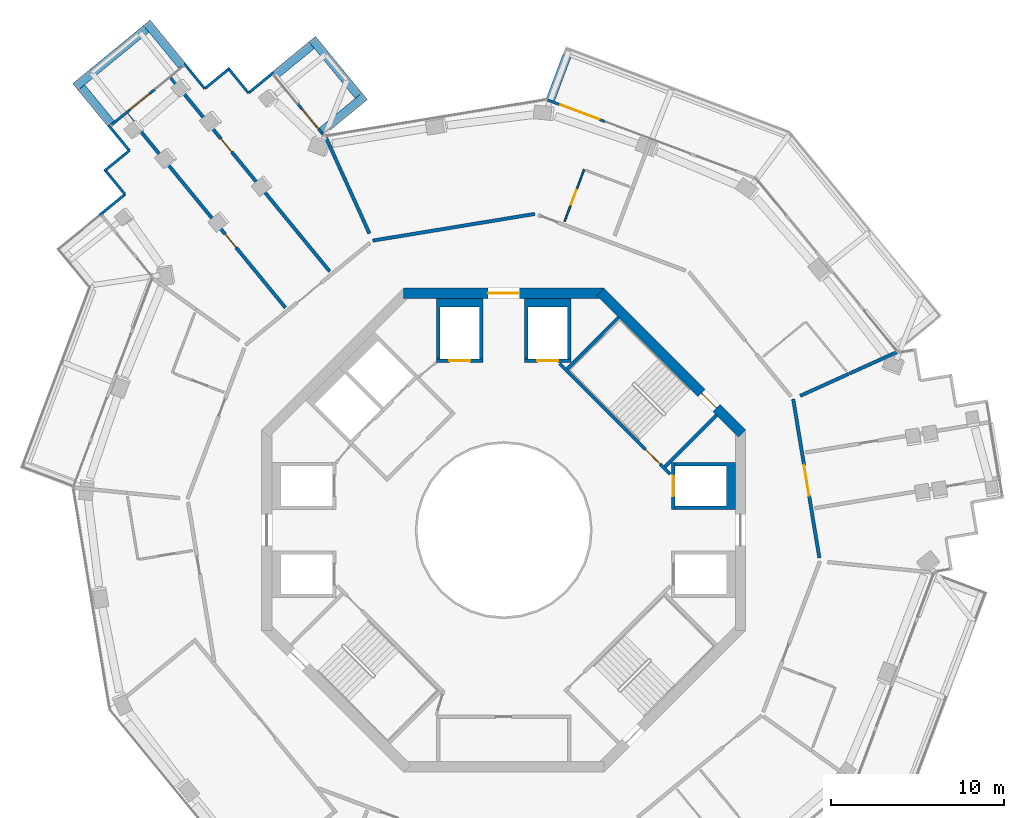
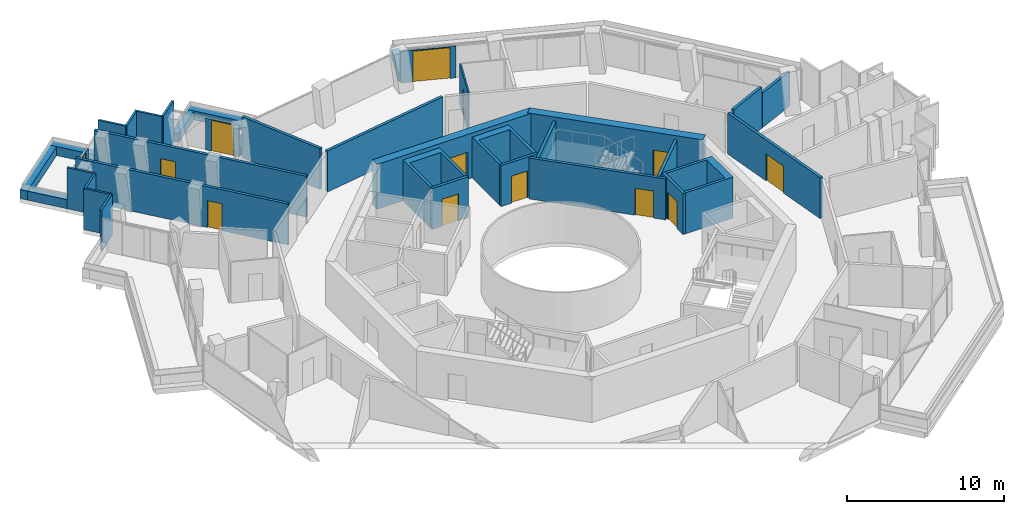
# One storey, part 17 of 21: 37 walls, 13 doors, 13 openings.
"""IFC4 building model written with IfcOpenShell, lengths in metres."""

from ifc_helpers import new_model, si_unit, direction, frame, frame_2d, origin, place, context, subcontext, project, spatial, polyline, rectangle, outline, extrude, material, layer, layer_set, type_object, element, fill, save


model = new_model("IFC4")

# Units and contexts
model_context = context("Model", 3, precision=1e-05, world=origin(), true_north=direction((0.0, 1.0)))
body_context = subcontext(model_context, "Body", "Model", "MODEL_VIEW")
ifc_project = project(units=[si_unit("LENGTHUNIT", "METRE"), si_unit("AREAUNIT", "SQUARE_METRE"), si_unit("VOLUMEUNIT", "CUBIC_METRE"), si_unit("PLANEANGLEUNIT", "RADIAN"), si_unit("MASSUNIT", "GRAM", prefix="KILO")], contexts=[model_context])

# Site, building, storey
site_placement = place(None, origin())
site = spatial("IfcSite", under=ifc_project, at=site_placement, CompositionType="ELEMENT")
building_placement = place(site_placement, origin())
building = spatial("IfcBuilding", under=site, at=building_placement, Name="Verdalira Terraces Hotel", CompositionType="ELEMENT")
storey_placement = place(building_placement, frame((0.0, 0.0, 194.0)))
storey = spatial("IfcBuildingStorey", under=building, at=storey_placement, Name="L47", CompositionType="ELEMENT", Elevation=194.0)

# Walls
ifc_material_1 = material(Name="Concrete C40", Category="concrete")
ifc_layer_1 = layer(ifc_material_1, 0.5)
ifc_layer_set_1 = layer_set([ifc_layer_1], Name="Balcony planter trough with tree")
wall_type_1 = type_object("IfcWallType", Name="Balcony planter trough with tree", PredefinedType="SOLIDWALL", material=ifc_layer_set_1)
wall_1_placement = place(storey_placement, frame((-18.622559, 26.882324, 0.0), z_axis=(0.0, 0.0, 1.0), x_axis=(-0.634197315, 0.773171239, 0.0)))
element("IfcWall", 1, at=wall_1_placement, inside=storey, type_object=wall_type_1, Name="Balcony planter", PredefinedType="SOLIDWALL", context=body_context, shape_type="SweptSolid", body=[
    extrude(rectangle(XDim=3.198975, YDim=0.5, at=frame_2d((1.599609, 0.0))), origin(), (0.0, 0.0, 1.0), 0.699951),
])
wall_2_placement = place(storey_placement, frame((-20.686279, 29.003906, 0.0), z_axis=(0.0, 0.0, 1.0), x_axis=(-0.773174724, -0.634193067, 0.0)))
element("IfcWall", 2, at=wall_2_placement, inside=storey, type_object=wall_type_1, Name="Balcony planter", PredefinedType="SOLIDWALL", context=body_context, shape_type="SweptSolid", body=[
    extrude(rectangle(XDim=5.299805, YDim=0.5, at=frame_2d((2.649902, 0.0))), origin(), (0.0, 0.0, 1.0), 0.699951),
])
wall_3_placement = place(storey_placement, frame((-24.432129, 25.60791, 0.0), z_axis=(0.0, 0.0, 1.0), x_axis=(0.63421264, -0.773158669, 0.0)))
element("IfcWall", 3, at=wall_3_placement, inside=storey, type_object=wall_type_1, Name="Balcony planter", PredefinedType="SOLIDWALL", context=body_context, shape_type="SweptSolid", body=[
    extrude(rectangle(XDim=2.698975, YDim=0.5, at=frame_2d((1.349609, 0.0))), origin(), (0.0, 0.0, 1.0), 0.699951),
])
wall_4_placement = place(storey_placement, frame((3.653809, 27.431152, 0.0), z_axis=(0.0, 0.0, 1.0), x_axis=(-0.352490997, -0.935815205, 0.0)))
element("IfcWall", 4, at=wall_4_placement, inside=storey, type_object=wall_type_1, Name="Balcony planter", PredefinedType="SOLIDWALL", context=body_context, shape_type="SweptSolid", body=[
    extrude(rectangle(XDim=2.699219, YDim=0.5, at=frame_2d((1.349609, 0.0))), origin(), (0.0, 0.0, 1.0), 0.699951),
])
wall_5_placement = place(storey_placement, frame((-10.516602, 23.072021, 0.0), z_axis=(0.0, 0.0, 1.0), x_axis=(0.773171239, 0.634197315, 0.0)))
element("IfcWall", 5, at=wall_5_placement, inside=storey, type_object=wall_type_1, Name="Balcony planter", PredefinedType="SOLIDWALL", context=body_context, shape_type="SweptSolid", body=[
    extrude(rectangle(XDim=3.198975, YDim=0.5, at=frame_2d((1.599609, 0.0))), origin(), (0.0, 0.0, 1.0), 0.699951),
])
wall_6_placement = place(storey_placement, frame((-8.39502, 25.135742, 0.0), z_axis=(0.0, 0.0, 1.0), x_axis=(-0.634200896, 0.773168302, 0.0)))
element("IfcWall", 6, at=wall_6_placement, inside=storey, type_object=wall_type_1, Name="Balcony planter", PredefinedType="SOLIDWALL", context=body_context, shape_type="SweptSolid", body=[
    extrude(rectangle(XDim=4.235596, YDim=0.5, at=frame_2d((2.117676, 0.0))), origin(), (0.0, 0.0, 1.0), 0.699951),
])
wall_7_placement = place(storey_placement, frame((-11.115967, 28.058838, 0.0), z_axis=(0.0, 0.0, 1.0), x_axis=(-0.773195051, -0.634168285, 0.0)))
element("IfcWall", 7, at=wall_7_placement, inside=storey, type_object=wall_type_1, Name="Balcony planter", PredefinedType="SOLIDWALL", context=body_context, shape_type="SweptSolid", body=[
    extrude(rectangle(XDim=2.698975, YDim=0.5, at=frame_2d((1.349609, 0.0))), origin(), (0.0, 0.0, 1.0), 0.699951),
])

# Wall, opening, door
ifc_material_2 = material(Name="Moisture-resistant gypsum board partition")
ifc_layer_2 = layer(ifc_material_2, 0.10009765625)
ifc_layer_set_2 = layer_set([ifc_layer_2], Name="Bathroom partition 100 mm")
wall_type_2 = type_object("IfcWallType", Name="Bathroom partition 100 mm", PredefinedType="PARTITIONING", material=ifc_layer_set_2)
wall_8_placement = place(storey_placement, frame((4.650879, 20.857666, 0.0), z_axis=(0.0, 0.0, 1.0), x_axis=(-0.352544364, -0.935795101, 0.0)))
wall_8 = element("IfcWall", 8, at=wall_8_placement, inside=storey, type_object=wall_type_2, Name="Bathroom partition", PredefinedType="PARTITIONING", context=body_context, shape_type="SweptSolid", body=[
    extrude(rectangle(XDim=3.200195, YDim=0.100098, at=frame_2d((1.600098, 0.0))), origin(), (0.0, 0.0, 1.0), 3.189941),
])
opening_1_placement = place(wall_8_placement, frame((1.25, 0.0, 0.0)))
opening_1 = element("IfcOpeningElement", 9, at=opening_1_placement, cuts=wall_8, Name="Opening L47-124", PredefinedType="OPENING", context=body_context, shape_type="SweptSolid", body=[
    extrude(rectangle(XDim=0.899902, YDim=2.100098, at=frame_2d((0.449951, 1.050049))), frame((0.0, 0.060059, 0.0), z_axis=(0.0, -1.0, 0.0), x_axis=(1.0, 0.0, 0.0)), (0.0, 0.0, 1.0), 0.120117),
])
ifc_material_3 = material(Name="Timber door", Category="wood")
door_type_1 = type_object("IfcDoorType", Name="Bathroom door 900 x 2100", OperationType="NOTDEFINED", PredefinedType="DOOR", material=ifc_material_3)
door_1_placement = place(opening_1_placement, origin())
door_1 = element("IfcDoor", 10, at=door_1_placement, inside=storey, type_object=door_type_1, Name="Bathroom door 4710", OperationType="SINGLE_SWING_LEFT", OverallHeight=2.10009765625, OverallWidth=0.89990234375, PredefinedType="DOOR", context=body_context, shape_type="SweptSolid", body=[
    extrude(rectangle(XDim=0.899902, YDim=2.100098, at=frame_2d((0.449951, 1.050049))), frame((0.0, 0.024902, 0.0), z_axis=(0.0, -1.0, 0.0), x_axis=(1.0, 0.0, 0.0)), (0.0, 0.0, 1.0), 0.050049),
])
fill(opening_1, door_1)

# Wall
ifc_material_4 = material(Name="Concrete C50", Category="concrete")
ifc_layer_3 = layer(ifc_material_4, 0.199951171875)
ifc_layer_set_3 = layer_set([ifc_layer_3], Name="Core RC wall 200 C50")
wall_type_3 = type_object("IfcWallType", Name="Core RC wall 200 C50", PredefinedType="SOLIDWALL", material=ifc_layer_set_3)
wall_9_placement = place(storey_placement, origin())
element("IfcWall", 11, at=wall_9_placement, inside=storey, type_object=wall_type_3, Name="L47 shaft wall E2", PredefinedType="SOLIDWALL", context=body_context, shape_type="SweptSolid", body=[
    extrude(outline(polyline([(13.399902, 3.899902), (13.399902, 1.199951), (9.899902, 1.199951), (9.899902, 1.399902), (12.899902, 1.399902), (12.899902, 3.699951), (9.899902, 3.699951), (9.899902, 3.899902), (13.399902, 3.899902)])), origin(), (0.0, 0.0, 1.0), 3.189941),
])

# Wall, opening, door
wall_10_placement = place(storey_placement, frame((9.800049, 1.199951, 0.0), z_axis=(0.0, 0.0, 1.0), x_axis=(0.0, 1.0, 0.0)))
wall_10 = element("IfcWall", 12, at=wall_10_placement, inside=storey, type_object=wall_type_3, Name="L47 shaft front wall E2", PredefinedType="SOLIDWALL", context=body_context, shape_type="SweptSolid", body=[
    extrude(rectangle(XDim=2.699951, YDim=0.199951, at=frame_2d((1.350098, 0.0))), origin(), (0.0, 0.0, 1.0), 3.189941),
])
opening_2_placement = place(wall_10_placement, frame((0.75, 0.0, 0.0)))
opening_2 = element("IfcOpeningElement", 13, at=opening_2_placement, cuts=wall_10, Name="Opening LD-L47-803", PredefinedType="OPENING", context=body_context, shape_type="SweptSolid", body=[
    extrude(rectangle(XDim=1.199951, YDim=2.100098, at=frame_2d((0.600098, 1.050049))), frame((0.0, 0.109863, 0.0), z_axis=(0.0, -1.0, 0.0), x_axis=(1.0, 0.0, 0.0)), (0.0, 0.0, 1.0), 0.219971),
])
ifc_material_5 = material(Name="Stainless steel", Category="steel")
door_type_2 = type_object("IfcDoorType", Name="Landing door 1200 x 2100", OperationType="NOTDEFINED", PredefinedType="DOOR", material=ifc_material_5)
door_2_placement = place(opening_2_placement, origin())
door_2 = element("IfcDoor", 14, at=door_2_placement, inside=storey, type_object=door_type_2, Name="Lift landing door HR2 L47", OperationType="DOUBLE_DOOR_SLIDING", OverallHeight=2.10009765625, OverallWidth=1.199951171875, PredefinedType="DOOR", context=body_context, shape_type="SweptSolid", body=[
    extrude(rectangle(XDim=1.199951, YDim=2.100098, at=frame_2d((0.600098, 1.050049))), frame((0.0, 0.024902, 0.0), z_axis=(0.0, -1.0, 0.0), x_axis=(1.0, 0.0, 0.0)), (0.0, 0.0, 1.0), 0.050049),
])
fill(opening_2, door_2)

# Wall
wall_11_placement = place(storey_placement, origin())
element("IfcWall", 15, at=wall_11_placement, inside=storey, type_object=wall_type_3, Name="L47 shaft wall N1", PredefinedType="SOLIDWALL", context=body_context, shape_type="SweptSolid", body=[
    extrude(outline(polyline([(3.899902, 9.899902), (3.699951, 9.899902), (3.699951, 12.899902), (1.399902, 12.899902), (1.399902, 9.899902), (1.199951, 9.899902), (1.199951, 13.399902), (3.899902, 13.399902), (3.899902, 9.899902)])), origin(), (0.0, 0.0, 1.0), 3.189941),
])

# Wall, opening, door
wall_12_placement = place(storey_placement, frame((1.199951, 9.800049, 0.0), z_axis=(0.0, 0.0, 1.0), x_axis=(1.0, 0.0, 0.0)))
wall_12 = element("IfcWall", 16, at=wall_12_placement, inside=storey, type_object=wall_type_3, Name="L47 shaft front wall N1", PredefinedType="SOLIDWALL", context=body_context, shape_type="SweptSolid", body=[
    extrude(rectangle(XDim=2.699951, YDim=0.199951, at=frame_2d((1.350098, 0.0))), origin(), (0.0, 0.0, 1.0), 3.189941),
])
opening_3_placement = place(wall_12_placement, frame((0.75, 0.0, 0.0)))
opening_3 = element("IfcOpeningElement", 17, at=opening_3_placement, cuts=wall_12, Name="Opening LD-L47-804", PredefinedType="OPENING", context=body_context, shape_type="SweptSolid", body=[
    extrude(rectangle(XDim=1.199951, YDim=2.100098, at=frame_2d((0.600098, 1.050049))), frame((0.0, 0.109863, 0.0), z_axis=(0.0, -1.0, 0.0), x_axis=(1.0, 0.0, 0.0)), (0.0, 0.0, 1.0), 0.219971),
])
door_3_placement = place(opening_3_placement, origin())
door_3 = element("IfcDoor", 18, at=door_3_placement, inside=storey, type_object=door_type_2, Name="Lift landing door HR3 L47", OperationType="DOUBLE_DOOR_SLIDING", OverallHeight=2.10009765625, OverallWidth=1.199951171875, PredefinedType="DOOR", context=body_context, shape_type="SweptSolid", body=[
    extrude(rectangle(XDim=1.199951, YDim=2.100098, at=frame_2d((0.600098, 1.050049))), frame((0.0, 0.024902, 0.0), z_axis=(0.0, -1.0, 0.0), x_axis=(1.0, 0.0, 0.0)), (0.0, 0.0, 1.0), 0.050049),
])
fill(opening_3, door_3)

# Wall
wall_13_placement = place(storey_placement, origin())
element("IfcWall", 19, at=wall_13_placement, inside=storey, type_object=wall_type_3, Name="L47 shaft wall N2", PredefinedType="SOLIDWALL", context=body_context, shape_type="SweptSolid", body=[
    extrude(outline(polyline([(-3.899902, 13.399902), (-1.199951, 13.399902), (-1.199951, 9.899902), (-1.399902, 9.899902), (-1.399902, 12.899902), (-3.699951, 12.899902), (-3.699951, 9.899902), (-3.899902, 9.899902), (-3.899902, 13.399902)])), origin(), (0.0, 0.0, 1.0), 3.189941),
])

# Wall, opening, door
wall_14_placement = place(storey_placement, frame((-1.199951, 9.800049, 0.0), z_axis=(0.0, 0.0, 1.0), x_axis=(-1.0, 0.0, 0.0)))
wall_14 = element("IfcWall", 20, at=wall_14_placement, inside=storey, type_object=wall_type_3, Name="L47 shaft front wall N2", PredefinedType="SOLIDWALL", context=body_context, shape_type="SweptSolid", body=[
    extrude(rectangle(XDim=2.699951, YDim=0.199951, at=frame_2d((1.350098, 0.0))), origin(), (0.0, 0.0, 1.0), 3.189941),
])
opening_4_placement = place(wall_14_placement, frame((0.75, 0.0, 0.0)))
opening_4 = element("IfcOpeningElement", 21, at=opening_4_placement, cuts=wall_14, Name="Opening LD-L47-805", PredefinedType="OPENING", context=body_context, shape_type="SweptSolid", body=[
    extrude(rectangle(XDim=1.199951, YDim=2.100098, at=frame_2d((0.600098, 1.050049))), frame((0.0, 0.109863, 0.0), z_axis=(0.0, -1.0, 0.0), x_axis=(1.0, 0.0, 0.0)), (0.0, 0.0, 1.0), 0.219971),
])
door_4_placement = place(opening_4_placement, origin())
door_4 = element("IfcDoor", 22, at=door_4_placement, inside=storey, type_object=door_type_2, Name="Lift landing door HR4 L47", OperationType="DOUBLE_DOOR_SLIDING", OverallHeight=2.10009765625, OverallWidth=1.199951171875, PredefinedType="DOOR", context=body_context, shape_type="SweptSolid", body=[
    extrude(rectangle(XDim=1.199951, YDim=2.100098, at=frame_2d((0.600098, 1.050049))), frame((0.0, 0.024902, 0.0), z_axis=(0.0, -1.0, 0.0), x_axis=(1.0, 0.0, 0.0)), (0.0, 0.0, 1.0), 0.050049),
])
fill(opening_4, door_4)

wall_15_placement = place(storey_placement, frame((3.23999, 9.629395, 0.0), z_axis=(0.0, 0.0, 1.0), x_axis=(0.707106781, -0.707106781, 0.0)))
wall_15 = element("IfcWall", 23, at=wall_15_placement, inside=storey, type_object=wall_type_3, Name="L47 stair ST1 front wall", PredefinedType="SOLIDWALL", context=body_context, shape_type="SweptSolid", body=[
    extrude(rectangle(XDim=9.035889, YDim=0.199951, at=frame_2d((4.518066, 0.0))), origin(), (0.0, 0.0, 1.0), 3.189941),
])
opening_5_placement = place(wall_15_placement, frame((7.017822, 0.0, 0.0)))
opening_5 = element("IfcOpeningElement", 24, at=opening_5_placement, cuts=wall_15, Name="Opening L47-810", PredefinedType="OPENING", context=body_context, shape_type="SweptSolid", body=[
    extrude(rectangle(XDim=1.199951, YDim=2.100098, at=frame_2d((0.600098, 1.050049))), frame((0.0, 0.109863, 0.0), z_axis=(0.0, -1.0, 0.0), x_axis=(1.0, 0.0, 0.0)), (0.0, 0.0, 1.0), 0.219971),
])
ifc_material_6 = material(Name="Steel fire door", Category="steel")
door_type_3 = type_object("IfcDoorType", Name="Stair door 1200 x 2100", OperationType="NOTDEFINED", PredefinedType="DOOR", material=ifc_material_6)
door_5_placement = place(opening_5_placement, origin())
door_5 = element("IfcDoor", 25, at=door_5_placement, inside=storey, type_object=door_type_3, Name="Stair door ST1 L47", OperationType="SINGLE_SWING_RIGHT", OverallHeight=2.10009765625, OverallWidth=1.199951171875, PredefinedType="DOOR", context=body_context, shape_type="SweptSolid", body=[
    extrude(rectangle(XDim=1.199951, YDim=2.100098, at=frame_2d((0.600098, 1.050049))), frame((0.0, 0.024902, 0.0), z_axis=(0.0, -1.0, 0.0), x_axis=(1.0, 0.0, 0.0)), (0.0, 0.0, 1.0), 0.050049),
])
fill(opening_5, door_5)

# Walls
for number, where, z_axis, x_axis, name in (
    (26, (9.33374, 3.677002, 0.0), (0.0, 0.0, 1.0), (0.707135845, 0.707077716, 0.0), "L47 stair ST1 end wall 1"),
    (27, (3.677002, 9.33374, 0.0), (0.0, 0.0, 1.0), (0.707077716, 0.707135845, 0.0), "L47 stair ST1 end wall 2"),
):
    element("IfcWall", number, at=place(storey_placement, frame(where, z_axis=z_axis, x_axis=x_axis)), inside=storey, type_object=wall_type_3, Name=name, PredefinedType="SOLIDWALL", context=body_context, shape_type="SweptSolid", body=[
        extrude(rectangle(XDim=4.199951, YDim=0.199951, at=frame_2d((2.100098, 0.0))), origin(), (0.0, 0.0, 1.0), 3.189941),
    ])

# Wall, opening, door
ifc_material_7 = material(Name="Concrete C60", Category="concrete")
ifc_layer_4 = layer(ifc_material_7, 0.60009765625)
ifc_layer_set_4 = layer_set([ifc_layer_4], Name="Core wall 600 C60")
wall_type_4 = type_object("IfcWallType", Name="Core wall 600 C60", PredefinedType="SHEAR", material=ifc_layer_set_4)
wall_16_placement = place(storey_placement, frame((13.787842, 5.586914, 0.0), z_axis=(0.0, 0.0, 1.0), x_axis=(-0.707106781, 0.707106781, 0.0)))
wall_16 = element("IfcWall", 28, at=wall_16_placement, inside=storey, type_object=wall_type_4, Name="Core wall CW-L47-2", PredefinedType="SHEAR", context=body_context, shape_type="SweptSolid", body=[
    extrude(rectangle(XDim=11.5979, YDim=0.600098, at=frame_2d((5.798828, 0.0))), origin(), (0.0, 0.0, 1.0), 3.5),
])
opening_6_placement = place(wall_16_placement, frame((2.099121, 0.0, 0.0)))
opening_6 = element("IfcOpeningElement", 29, at=opening_6_placement, cuts=wall_16, Name="Opening L47-816", PredefinedType="OPENING", context=body_context, shape_type="SweptSolid", body=[
    extrude(rectangle(XDim=1.199951, YDim=2.100098, at=frame_2d((0.600098, 1.050049))), frame((0.0, 0.310059, 0.0), z_axis=(0.0, -1.0, 0.0), x_axis=(1.0, 0.0, 0.0)), (0.0, 0.0, 1.0), 0.620117),
])
door_6_placement = place(opening_6_placement, origin())
door_6 = element("IfcDoor", 30, at=door_6_placement, inside=storey, type_object=door_type_3, Name="Stair exit door ST1 L47", OperationType="SINGLE_SWING_LEFT", OverallHeight=2.10009765625, OverallWidth=1.199951171875, PredefinedType="DOOR", context=body_context, shape_type="SweptSolid", body=[
    extrude(rectangle(XDim=1.199951, YDim=2.100098, at=frame_2d((0.600098, 1.050049))), frame((0.0, 0.024902, 0.0), z_axis=(0.0, -1.0, 0.0), x_axis=(1.0, 0.0, 0.0)), (0.0, 0.0, 1.0), 0.050049),
])
fill(opening_6, door_6)

wall_17_placement = place(storey_placement, frame((5.799072, 13.699951, 0.0), z_axis=(0.0, 0.0, 1.0), x_axis=(-1.0, 0.0, 0.0)))
wall_17 = element("IfcWall", 31, at=wall_17_placement, inside=storey, type_object=wall_type_4, Name="Core wall CW-L47-3", PredefinedType="SHEAR", context=body_context, shape_type="SweptSolid", body=[
    extrude(rectangle(XDim=11.598145, YDim=0.600098, at=frame_2d((5.799072, 0.0))), origin(), (0.0, 0.0, 1.0), 3.5),
])
opening_7_placement = place(wall_17_placement, frame((4.898926, 0.0, 0.0)))
opening_7 = element("IfcOpeningElement", 32, at=opening_7_placement, cuts=wall_17, Name="Opening L47-814", PredefinedType="OPENING", context=body_context, shape_type="SweptSolid", body=[
    extrude(rectangle(XDim=1.800049, YDim=2.100098, at=frame_2d((0.899902, 1.050049))), frame((0.0, 0.310059, 0.0), z_axis=(0.0, -1.0, 0.0), x_axis=(1.0, 0.0, 0.0)), (0.0, 0.0, 1.0), 0.620117),
])
ifc_material_8 = material(Name="Steel fire door", Category="steel")
door_type_4 = type_object("IfcDoorType", Name="Core entry door pair 1800 x 2100", OperationType="NOTDEFINED", PredefinedType="DOOR", material=ifc_material_8)
door_7_placement = place(opening_7_placement, origin())
door_7 = element("IfcDoor", 33, at=door_7_placement, inside=storey, type_object=door_type_4, Name="Core entry door L47 2", OperationType="DOUBLE_DOOR_SINGLE_SWING", OverallHeight=2.10009765625, OverallWidth=1.800048828125, PredefinedType="DOOR", context=body_context, shape_type="SweptSolid", body=[
    extrude(rectangle(XDim=1.800049, YDim=2.100098, at=frame_2d((0.899902, 1.050049))), frame((0.0, 0.024902, 0.0), z_axis=(0.0, -1.0, 0.0), x_axis=(1.0, 0.0, 0.0)), (0.0, 0.0, 1.0), 0.050049),
])
fill(opening_7, door_7)

ifc_material_9 = material(Name="Fire-rated gypsum board wall")
ifc_layer_5 = layer(ifc_material_9, 0.199951171875)
ifc_layer_set_5 = layer_set([ifc_layer_5], Name="Demising wall 200 mm")
wall_type_5 = type_object("IfcWallType", Name="Demising wall 200 mm", PredefinedType="SOLIDWALL", material=ifc_layer_set_5)
wall_18_placement = place(storey_placement, frame((-12.629395, 12.867676, 0.0), z_axis=(0.0, 0.0, 1.0), x_axis=(-0.634195474, 0.773172749, 0.0)))
wall_18 = element("IfcWall", 34, at=wall_18_placement, inside=storey, type_object=wall_type_5, Name="Demising wall", PredefinedType="SOLIDWALL", context=body_context, shape_type="SweptSolid", body=[
    extrude(rectangle(XDim=14.485596, YDim=0.199951, at=frame_2d((7.242676, 0.0))), origin(), (0.0, 0.0, 1.0), 3.189941),
])
opening_8_placement = place(wall_18_placement, frame((4.5, 0.0, 0.0)))
opening_8 = element("IfcOpeningElement", 35, at=opening_8_placement, cuts=wall_18, Name="Opening L47-103", PredefinedType="OPENING", context=body_context, shape_type="SweptSolid", body=[
    extrude(rectangle(XDim=1.0, YDim=2.100098, at=frame_2d((0.5, 1.050049))), frame((0.0, 0.109863, 0.0), z_axis=(0.0, -1.0, 0.0), x_axis=(1.0, 0.0, 0.0)), (0.0, 0.0, 1.0), 0.219971),
])
ifc_material_10 = material(Name="Timber fire door", Category="wood")
door_type_5 = type_object("IfcDoorType", Name="Public room door 1000 x 2100", OperationType="NOTDEFINED", PredefinedType="DOOR", material=ifc_material_10)
door_8_placement = place(opening_8_placement, origin())
door_8 = element("IfcDoor", 36, at=door_8_placement, inside=storey, type_object=door_type_5, Name="Public room door 4701", OperationType="SINGLE_SWING_LEFT", OverallHeight=2.10009765625, OverallWidth=1.0, PredefinedType="DOOR", context=body_context, shape_type="SweptSolid", body=[
    extrude(rectangle(XDim=1.0, YDim=2.100098, at=frame_2d((0.5, 1.050049))), frame((0.0, 0.024902, 0.0), z_axis=(0.0, -1.0, 0.0), x_axis=(1.0, 0.0, 0.0)), (0.0, 0.0, 1.0), 0.050049),
])
fill(opening_8, door_8)

wall_19_placement = place(storey_placement, frame((-19.25415, 26.169189, 0.0), z_axis=(0.0, 0.0, 1.0), x_axis=(0.63418721, -0.773179528, 0.0)))
wall_19 = element("IfcWall", 37, at=wall_19_placement, inside=storey, type_object=wall_type_5, Name="Demising wall", PredefinedType="SOLIDWALL", context=body_context, shape_type="SweptSolid", body=[
    extrude(rectangle(XDim=14.48584, YDim=0.199951, at=frame_2d((7.24292, 0.0))), origin(), (0.0, 0.0, 1.0), 3.189941),
])
opening_9_placement = place(wall_19_placement, frame((4.550049, 0.0, 0.0)))
opening_9 = element("IfcOpeningElement", 38, at=opening_9_placement, cuts=wall_19, Name="Opening L47-102", PredefinedType="OPENING", context=body_context, shape_type="SweptSolid", body=[
    extrude(rectangle(XDim=1.0, YDim=2.100098, at=frame_2d((0.5, 1.050049))), frame((0.0, 0.109863, 0.0), z_axis=(0.0, -1.0, 0.0), x_axis=(1.0, 0.0, 0.0)), (0.0, 0.0, 1.0), 0.219971),
])
door_9_placement = place(opening_9_placement, origin())
door_9 = element("IfcDoor", 39, at=door_9_placement, inside=storey, type_object=door_type_5, Name="Public room door 4701", OperationType="SINGLE_SWING_LEFT", OverallHeight=2.10009765625, OverallWidth=1.0, PredefinedType="DOOR", context=body_context, shape_type="SweptSolid", body=[
    extrude(rectangle(XDim=1.0, YDim=2.100098, at=frame_2d((0.5, 1.050049))), frame((0.0, 0.024902, 0.0), z_axis=(0.0, -1.0, 0.0), x_axis=(1.0, 0.0, 0.0)), (0.0, 0.0, 1.0), 0.050049),
])
fill(opening_9, door_9)

# Walls
wall_20_placement = place(storey_placement, frame((-10.296875, 22.741699, 0.0), z_axis=(0.0, 0.0, 1.0), x_axis=(0.412467657, -0.910972245, 0.0)))
element("IfcWall", 40, at=wall_20_placement, inside=storey, type_object=wall_type_5, Name="Demising wall", PredefinedType="SOLIDWALL", context=body_context, shape_type="SweptSolid", body=[
    extrude(rectangle(XDim=6.13208, YDim=0.199951, at=frame_2d((3.065918, 0.0))), origin(), (0.0, 0.0, 1.0), 3.189941),
])
wall_21_placement = place(storey_placement, frame((17.155518, 7.767578, 0.0), z_axis=(0.0, 0.0, 1.0), x_axis=(0.910950239, 0.412516256, 0.0)))
element("IfcWall", 41, at=wall_21_placement, inside=storey, type_object=wall_type_5, Name="Demising wall", PredefinedType="SOLIDWALL", context=body_context, shape_type="SweptSolid", body=[
    extrude(rectangle(XDim=3.074463, YDim=0.199951, at=frame_2d((1.537109, 0.0))), origin(), (0.0, 0.0, 1.0), 3.189941),
])
ifc_material_11 = material(Name="Fire-rated gypsum board wall")
ifc_layer_6 = layer(ifc_material_11, 0.199951171875)
ifc_layer_set_6 = layer_set([ifc_layer_6], Name="Demising wall 200 mm to beam soffit")
wall_type_6 = type_object("IfcWallType", Name="Demising wall 200 mm to beam soffit", PredefinedType="SOLIDWALL", material=ifc_layer_set_6)
wall_22_placement = place(storey_placement, frame((19.998291, 9.054688, 0.0), z_axis=(0.0, 0.0, 1.0), x_axis=(0.910967975, 0.412477089, 0.0)))
element("IfcWall", 42, at=wall_22_placement, inside=storey, type_object=wall_type_6, Name="Demising wall", PredefinedType="SOLIDWALL", context=body_context, shape_type="SweptSolid", body=[
    extrude(rectangle(XDim=3.011475, YDim=0.199951, at=frame_2d((1.505859, 0.0))), origin(), (0.0, 0.0, 1.0), 2.689941),
])
ifc_material_12 = material(Name="Fire-rated gypsum board wall")
ifc_layer_7 = layer(ifc_material_12, 0.199951171875)
ifc_layer_set_7 = layer_set([ifc_layer_7], Name="Guest corridor wall 200 mm")
wall_type_7 = type_object("IfcWallType", Name="Guest corridor wall 200 mm", PredefinedType="SOLIDWALL", material=ifc_layer_set_7)
wall_23_placement = place(storey_placement, frame((1.806396, 18.295654, 0.0), z_axis=(0.0, 0.0, 1.0), x_axis=(-0.986687031, -0.16263057, 0.0)))
element("IfcWall", 43, at=wall_23_placement, inside=storey, type_object=wall_type_7, Name="Guest corridor wall", PredefinedType="SOLIDWALL", context=body_context, shape_type="SweptSolid", body=[
    extrude(rectangle(XDim=9.516113, YDim=0.199951, at=frame_2d((4.758057, 0.0))), origin(), (0.0, 0.0, 1.0), 3.189941),
])

# Wall, opening, door
wall_24_placement = place(storey_placement, frame((16.748047, 7.583008, 0.0), z_axis=(0.0, 0.0, 1.0), x_axis=(0.162626714, -0.986687667, 0.0)))
wall_24 = element("IfcWall", 44, at=wall_24_placement, inside=storey, type_object=wall_type_7, Name="Guest corridor wall", PredefinedType="SOLIDWALL", context=body_context, shape_type="SweptSolid", body=[
    extrude(rectangle(XDim=9.31665, YDim=0.199951, at=frame_2d((4.658203, 0.0))), origin(), (0.0, 0.0, 1.0), 3.189941),
])
opening_10_placement = place(wall_24_placement, frame((3.869385, 0.0, 0.0)))
opening_10 = element("IfcOpeningElement", 45, at=opening_10_placement, cuts=wall_24, Name="Opening L47-118", PredefinedType="OPENING", context=body_context, shape_type="SweptSolid", body=[
    extrude(rectangle(XDim=1.800049, YDim=2.100098, at=frame_2d((0.899902, 1.050049))), frame((0.0, 0.109863, 0.0), z_axis=(0.0, -1.0, 0.0), x_axis=(1.0, 0.0, 0.0)), (0.0, 0.0, 1.0), 0.219971),
])
ifc_material_13 = material(Name="Timber fire door", Category="wood")
door_type_6 = type_object("IfcDoorType", Name="Public room double door 1800 x 2100", OperationType="NOTDEFINED", PredefinedType="DOOR", material=ifc_material_13)
door_10_placement = place(opening_10_placement, origin())
door_10 = element("IfcDoor", 46, at=door_10_placement, inside=storey, type_object=door_type_6, Name="Public room double door 4708", OperationType="DOUBLE_DOOR_SINGLE_SWING", OverallHeight=2.10009765625, OverallWidth=1.800048828125, PredefinedType="DOOR", context=body_context, shape_type="SweptSolid", body=[
    extrude(rectangle(XDim=1.800049, YDim=2.100098, at=frame_2d((0.899902, 1.050049))), frame((0.0, 0.024902, 0.0), z_axis=(0.0, -1.0, 0.0), x_axis=(1.0, 0.0, 0.0)), (0.0, 0.0, 1.0), 0.050049),
])
fill(opening_10, door_10)

# Walls
ifc_material_14 = material(Name="Terracotta cladding", Category="masonry")
ifc_layer_8 = layer(ifc_material_14, 0.14990234375)
ifc_layer_set_8 = layer_set([ifc_layer_8], Name="Terracotta clad wall 150")
wall_type_8 = type_object("IfcWallType", Name="Terracotta clad wall 150", PredefinedType="SOLIDWALL", material=ifc_layer_set_8)
wall_25_placement = place(storey_placement, frame((-13.314697, 26.481934, 0.0), z_axis=(0.0, 0.0, 1.0), x_axis=(-0.77315031, -0.63422283, 0.0)))
element("IfcWall", 47, at=wall_25_placement, inside=storey, type_object=wall_type_8, Name="Terracotta cladding wall", PredefinedType="SOLIDWALL", context=body_context, shape_type="SweptSolid", body=[
    extrude(rectangle(XDim=1.875, YDim=0.149902, at=frame_2d((0.9375, 0.0))), origin(), (0.0, 0.0, 1.0), 3.189941),
])
wall_26_placement = place(storey_placement, frame((-14.764404, 25.292725, 0.0), z_axis=(0.0, 0.0, 1.0), x_axis=(-0.634175276, 0.773189317, 0.0)))
element("IfcWall", 48, at=wall_26_placement, inside=storey, type_object=wall_type_8, Name="Terracotta cladding wall", PredefinedType="SOLIDWALL", context=body_context, shape_type="SweptSolid", body=[
    extrude(rectangle(XDim=1.800049, YDim=0.149902, at=frame_2d((0.899902, 0.0))), origin(), (0.0, 0.0, 1.0), 3.189941),
])
for number, where, z_axis, x_axis, name in (
    (49, (-15.8479, 26.731934, 0.0), (0.0, 0.0, 1.0), (-0.773214157, -0.634144989, 0.0), "Terracotta cladding wall"),
    (50, (-17.297607, 25.542969, 0.0), (0.0, 0.0, 1.0), (-0.63422283, 0.77315031, 0.0), "Terracotta cladding wall"),
    (51, (-22.855225, 23.409424, 0.0), (0.0, 0.0, 1.0), (0.63422283, -0.77315031, 0.0), "Terracotta cladding wall"),
):
    element("IfcWall", number, at=place(storey_placement, frame(where, z_axis=z_axis, x_axis=x_axis)), inside=storey, type_object=wall_type_8, Name=name, PredefinedType="SOLIDWALL", context=body_context, shape_type="SweptSolid", body=[
        extrude(rectangle(XDim=1.875, YDim=0.149902, at=frame_2d((0.9375, 0.0))), origin(), (0.0, 0.0, 1.0), 3.189941),
    ])
wall_27_placement = place(storey_placement, frame((-21.666016, 21.959717, 0.0), z_axis=(0.0, 0.0, 1.0), x_axis=(-0.773189317, -0.634175276, 0.0)))
element("IfcWall", 52, at=wall_27_placement, inside=storey, type_object=wall_type_8, Name="Terracotta cladding wall", PredefinedType="SOLIDWALL", context=body_context, shape_type="SweptSolid", body=[
    extrude(rectangle(XDim=1.800049, YDim=0.149902, at=frame_2d((0.899902, 0.0))), origin(), (0.0, 0.0, 1.0), 3.189941),
])
for number, where, z_axis, x_axis, name in (
    (53, (-23.105225, 20.876221, 0.0), (0.0, 0.0, 1.0), (0.634144989, -0.773214157, 0.0), "Terracotta cladding wall"),
    (54, (-21.91626, 19.426514, 0.0), (0.0, 0.0, 1.0), (-0.77315031, -0.63422283, 0.0), "Terracotta cladding wall"),
):
    element("IfcWall", number, at=place(storey_placement, frame(where, z_axis=z_axis, x_axis=x_axis)), inside=storey, type_object=wall_type_8, Name=name, PredefinedType="SOLIDWALL", context=body_context, shape_type="SweptSolid", body=[
        extrude(rectangle(XDim=1.875, YDim=0.149902, at=frame_2d((0.9375, 0.0))), origin(), (0.0, 0.0, 1.0), 3.189941),
    ])

# Wall, opening, door
ifc_material_15 = material(Name="Terracotta cladding", Category="masonry")
ifc_layer_9 = layer(ifc_material_15, 0.14990234375)
ifc_layer_set_9 = layer_set([ifc_layer_9], Name="Terracotta door pier 150")
wall_type_9 = type_object("IfcWallType", Name="Terracotta door pier 150", PredefinedType="SOLIDWALL", material=ifc_layer_set_9)
wall_28_placement = place(storey_placement, frame((-10.461182, 22.884766, 0.0), z_axis=(0.0, 0.0, 1.0), x_axis=(-0.634212662, 0.773158651, 0.0)))
wall_28 = element("IfcWall", 55, at=wall_28_placement, inside=storey, type_object=wall_type_9, Name="Terracotta door pier", PredefinedType="SOLIDWALL", context=body_context, shape_type="SweptSolid", body=[
    extrude(rectangle(XDim=2.303467, YDim=0.149902, at=frame_2d((1.151855, 0.0))), origin(), (0.0, 0.0, 1.0), 2.475098),
])
opening_11_placement = place(wall_28_placement, frame((0.403564, 0.0, 0.0)))
opening_11 = element("IfcOpeningElement", 56, at=opening_11_placement, cuts=wall_28, Name="Opening L47-B01", PredefinedType="OPENING", context=body_context, shape_type="SweptSolid", body=[
    extrude(rectangle(XDim=1.5, YDim=2.399902, at=frame_2d((0.75, 1.199951))), frame((0.0, 0.084961, 0.0), z_axis=(0.0, -1.0, 0.0), x_axis=(1.0, 0.0, 0.0)), (0.0, 0.0, 1.0), 0.169922),
])
ifc_material_16 = material(Name="Clear glass", Category="glass")
door_type_7 = type_object("IfcDoorType", Name="Balcony sliding door 1500x2400", OperationType="NOTDEFINED", PredefinedType="DOOR", material=ifc_material_16)
door_11_placement = place(opening_11_placement, origin())
door_11 = element("IfcDoor", 57, at=door_11_placement, inside=storey, type_object=door_type_7, Name="Balcony sliding door", OperationType="SLIDING_TO_LEFT", OverallHeight=2.39990234375, OverallWidth=1.5, PredefinedType="DOOR", context=body_context, shape_type="SweptSolid", body=[
    extrude(rectangle(XDim=1.5, YDim=2.399902, at=frame_2d((0.75, 1.199951))), frame((0.0, 0.024902, 0.0), z_axis=(0.0, -1.0, 0.0), x_axis=(1.0, 0.0, 0.0)), (0.0, 0.0, 1.0), 0.050049),
])
fill(opening_11, door_11)

wall_29_placement = place(storey_placement, frame((-20.167236, 25.517334, 0.0), z_axis=(0.0, 0.0, 1.0), x_axis=(-0.77314587, -0.634228242, 0.0)))
wall_29 = element("IfcWall", 58, at=wall_29_placement, inside=storey, type_object=wall_type_9, Name="Terracotta door pier", PredefinedType="SOLIDWALL", context=body_context, shape_type="SweptSolid", body=[
    extrude(rectangle(XDim=3.26001, YDim=0.149902, at=frame_2d((1.629883, 0.0))), origin(), (0.0, 0.0, 1.0), 2.475098),
])
opening_12_placement = place(wall_29_placement, frame((0.399902, 0.0, 0.0)))
opening_12 = element("IfcOpeningElement", 59, at=opening_12_placement, cuts=wall_29, Name="Opening L47-B02", PredefinedType="OPENING", context=body_context, shape_type="SweptSolid", body=[
    extrude(rectangle(XDim=1.5, YDim=2.399902, at=frame_2d((0.75, 1.199951))), frame((0.0, 0.084961, 0.0), z_axis=(0.0, -1.0, 0.0), x_axis=(1.0, 0.0, 0.0)), (0.0, 0.0, 1.0), 0.169922),
])
door_12_placement = place(opening_12_placement, origin())
door_12 = element("IfcDoor", 60, at=door_12_placement, inside=storey, type_object=door_type_7, Name="Balcony sliding door", OperationType="SLIDING_TO_RIGHT", OverallHeight=2.39990234375, OverallWidth=1.5, PredefinedType="DOOR", context=body_context, shape_type="SweptSolid", body=[
    extrude(rectangle(XDim=1.5, YDim=2.399902, at=frame_2d((0.75, 1.199951))), frame((0.0, 0.024902, 0.0), z_axis=(0.0, -1.0, 0.0), x_axis=(1.0, 0.0, 0.0)), (0.0, 0.0, 1.0), 0.050049),
])
fill(opening_12, door_12)

wall_30_placement = place(storey_placement, frame((5.912598, 23.61499, 0.0), z_axis=(0.0, 0.0, 1.0), x_axis=(-0.935824999, 0.352464993, 0.0)))
wall_30 = element("IfcWall", 61, at=wall_30_placement, inside=storey, type_object=wall_type_9, Name="Terracotta door pier", PredefinedType="SOLIDWALL", context=body_context, shape_type="SweptSolid", body=[
    extrude(rectangle(XDim=3.608887, YDim=0.149902, at=frame_2d((1.804443, 0.0))), origin(), (0.0, 0.0, 1.0), 2.475098),
])
opening_13_placement = place(wall_30_placement, frame((0.399902, 0.0, 0.0)))
opening_13 = element("IfcOpeningElement", 62, at=opening_13_placement, cuts=wall_30, Name="Opening L47-B14", PredefinedType="OPENING", context=body_context, shape_type="SweptSolid", body=[
    extrude(rectangle(XDim=2.399902, YDim=2.399902, at=frame_2d((1.199951, 1.199951))), frame((0.0, 0.084961, 0.0), z_axis=(0.0, -1.0, 0.0), x_axis=(1.0, 0.0, 0.0)), (0.0, 0.0, 1.0), 0.169922),
])
ifc_material_17 = material(Name="Clear glass", Category="glass")
door_type_8 = type_object("IfcDoorType", Name="Balcony sliding door 2400x2400", OperationType="NOTDEFINED", PredefinedType="DOOR", material=ifc_material_17)
door_13_placement = place(opening_13_placement, origin())
door_13 = element("IfcDoor", 63, at=door_13_placement, inside=storey, type_object=door_type_8, Name="Balcony sliding door", OperationType="SLIDING_TO_RIGHT", OverallHeight=2.39990234375, OverallWidth=2.39990234375, PredefinedType="DOOR", context=body_context, shape_type="SweptSolid", body=[
    extrude(rectangle(XDim=2.399902, YDim=2.399902, at=frame_2d((1.199951, 1.199951))), frame((0.0, 0.024902, 0.0), z_axis=(0.0, -1.0, 0.0), x_axis=(1.0, 0.0, 0.0)), (0.0, 0.0, 1.0), 0.050049),
])
fill(opening_13, door_13)

save(model, "model.ifc")
